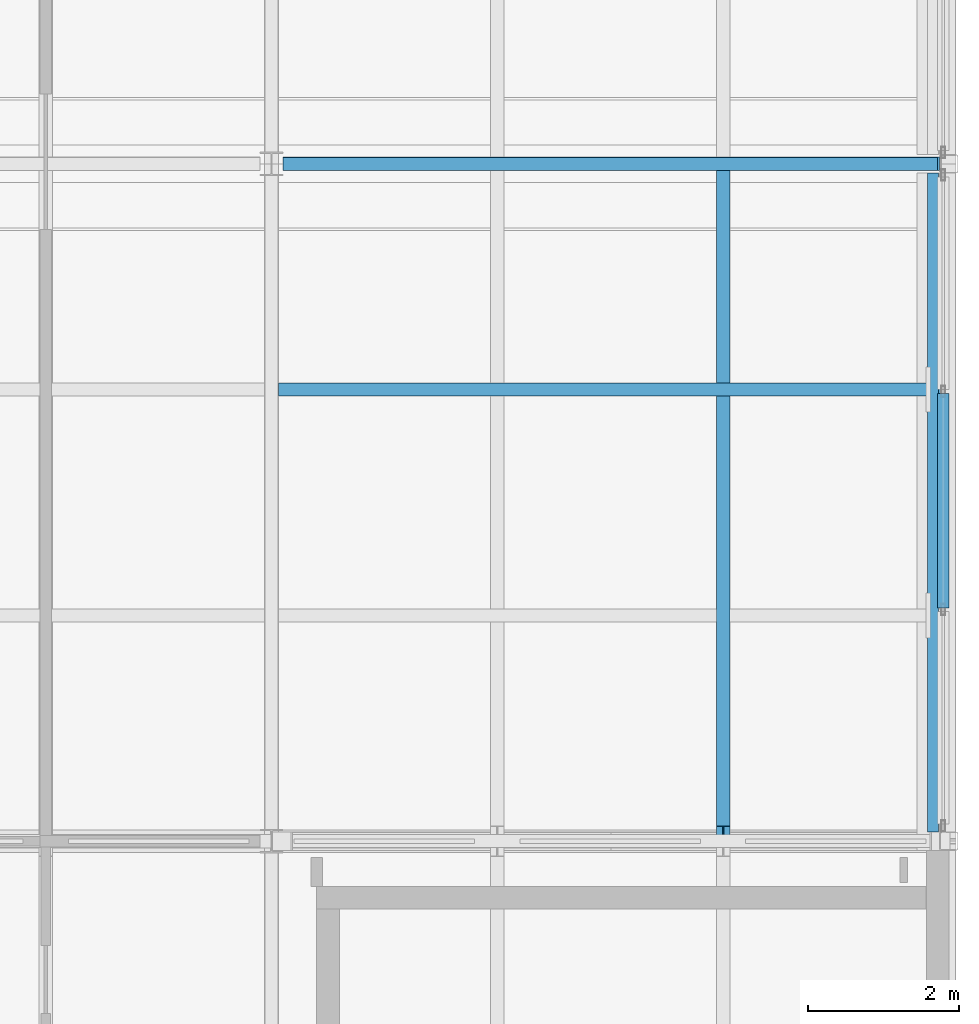
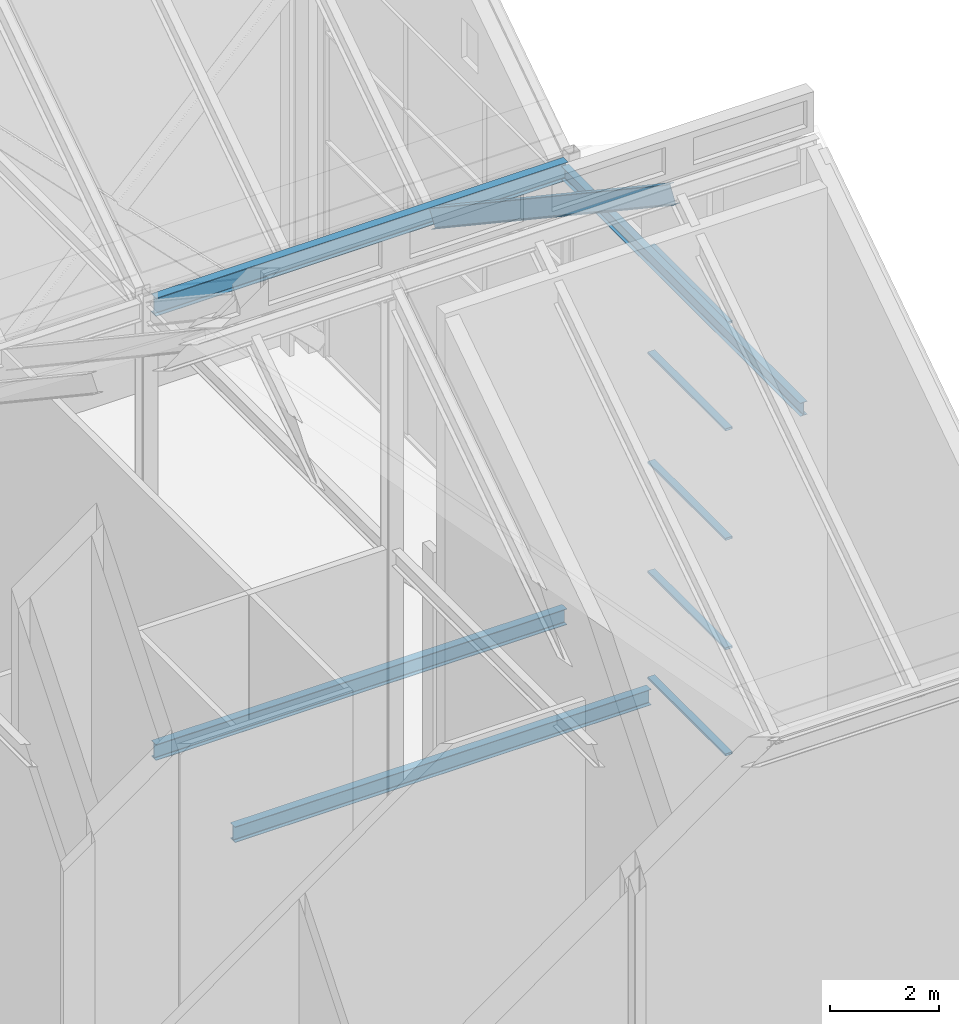
# One storey, part 72 of 111: 6 members, 4 beams, 1 element without a shape of its own.
"""IFC4 building model written with IfcOpenShell, lengths in metres."""

from ifc_helpers import new_model, si_unit, direction, frame, origin, origin_2d, place, context, subcontext, project, spatial, hollow_rectangle, i_section, extrude, material, layer, layer_set, material_profile, profile_set, type_object, element, aggregate, save


model = new_model("IFC4")

# Units and contexts
model_context = context("Model", 3, precision=1e-05, world=origin(), true_north=direction((0.0, 1.0)))
body_context = subcontext(model_context, "Body", "Model", "MODEL_VIEW")
ifc_project = project(units=[si_unit("LENGTHUNIT", "METRE"), si_unit("AREAUNIT", "SQUARE_METRE"), si_unit("VOLUMEUNIT", "CUBIC_METRE"), si_unit("PLANEANGLEUNIT", "RADIAN"), si_unit("MASSUNIT", "GRAM", prefix="KILO")], contexts=[model_context])

# Site, building, storey
site_placement = place(None, origin())
site = spatial("IfcSite", under=ifc_project, at=site_placement, CompositionType="ELEMENT")
building_placement = place(site_placement, origin())
building = spatial("IfcBuilding", under=site, at=building_placement, Name="Shorebreak Coast Museum", CompositionType="ELEMENT")
storey_placement = place(building_placement, frame((0.0, 0.0, 16.0)))
storey = spatial("IfcBuildingStorey", under=building, at=storey_placement, Name="L03", CompositionType="ELEMENT", Elevation=16.0)

# Beams
ifc_material_1 = material(Name="Steel Grade 300", Category="steel")
ifc_material_profile_1 = material_profile(ifc_material_1, i_section(OverallWidth=0.1708984375, OverallDepth=0.355712890625, WebThickness=0.00732421875, FlangeThickness=0.011474609375, FilletRadius=0.011474609375, at=origin_2d()), Name="360UB50.7")
ifc_profile_set_1 = profile_set([ifc_material_profile_1], Name="Steel Grade 300")
beam_type_1 = type_object("IfcBeamType", Name="Floor girder east-west 360UB50.7", PredefinedType="BEAM", material=ifc_profile_set_1)
beam_1_placement = place(storey_placement, frame((162.153564453125, 72.0, -0.352783203125), z_axis=(1.0, 0.0, 0.0), x_axis=(0.0, 1.0, 0.0)))
element("IfcBeam", 1, at=beam_1_placement, inside=storey, type_object=beam_type_1, Name="Floor girder east-west L03 19J", PredefinedType="BEAM", context=body_context, shape_type="SweptSolid", body=[
    extrude(i_section(OverallWidth=0.1708984375, OverallDepth=0.355712890625, WebThickness=0.00732421875, FlangeThickness=0.011474609375, FilletRadius=0.011474609375, at=origin_2d()), origin(), (0.0, 0.0, 1.0), 8.696533203125),
])
ifc_material_2 = material(Name="Steel Grade 300", Category="steel")
ifc_material_profile_2 = material_profile(ifc_material_2, i_section(OverallWidth=0.1708984375, OverallDepth=0.35205078125, WebThickness=0.0068359375, FlangeThickness=0.009765625, FilletRadius=0.011474609375, at=origin_2d()), Name="360UB44.7")
ifc_profile_set_2 = profile_set([ifc_material_profile_2], Name="Steel Grade 300")
beam_type_2 = type_object("IfcBeamType", Name="Floor joist 360UB44.7", PredefinedType="JOIST", material=ifc_profile_set_2)
beam_2_placement = place(storey_placement, frame((162.094970703125, 69.0, -0.35107421875), z_axis=(1.0, 0.0, 0.0), x_axis=(0.0, 1.0, 0.0)))
element("IfcBeam", 2, at=beam_2_placement, inside=storey, type_object=beam_type_2, Name="Floor joist L03 bay 19H at 6000 mm", PredefinedType="JOIST", context=body_context, shape_type="SweptSolid", body=[
    extrude(i_section(OverallWidth=0.1708984375, OverallDepth=0.35205078125, WebThickness=0.0068359375, FlangeThickness=0.009765625, FilletRadius=0.011474609375, at=origin_2d()), origin(), (0.0, 0.0, 1.0), 8.81005859375),
])

# Member
ifc_material_3 = material(Name="Steel Grade 300", Category="steel")
ifc_material_profile_3 = material_profile(ifc_material_3, i_section(OverallWidth=0.177978515625, OverallDepth=0.402587890625, WebThickness=0.007568359375, FlangeThickness=0.010986328125, FilletRadius=0.011474609375, at=origin_2d()), Name="410UB53.7")
ifc_profile_set_3 = profile_set([ifc_material_profile_3], Name="Steel Grade 300")
member_type_1 = type_object("IfcMemberType", Name="Fold rafter 410UB53.7", PredefinedType="RAFTER", material=ifc_profile_set_3)
member_1_placement = place(storey_placement, frame((168.0, 63.089111328125, 15.458251953125), z_axis=(0.0, 0.832043209162, -0.554710823842), x_axis=(-1.0, 0.0, 0.0)))
element("IfcMember", 3, at=member_1_placement, inside=storey, type_object=member_type_1, Name="Fold rafter FOLD-E line 2 18", PredefinedType="RAFTER", context=body_context, shape_type="SweptSolid", body=[
    extrude(i_section(OverallWidth=0.177978515625, OverallDepth=0.402587890625, WebThickness=0.007568359375, FlangeThickness=0.010986328125, FilletRadius=0.011474609375, at=origin_2d()), origin(), (0.0, 0.0, 1.0), 10.6025390625),
])

# Beams
ifc_material_4 = material(Name="Steel Grade 300", Category="steel")
ifc_material_profile_4 = material_profile(ifc_material_4, i_section(OverallWidth=0.177978515625, OverallDepth=0.406494140625, WebThickness=0.0078125, FlangeThickness=0.0126953125, FilletRadius=0.011474609375, at=origin_2d()), Name="410UB59.7")
ifc_profile_set_4 = profile_set([ifc_material_profile_4], Name="Steel Grade 300")
beam_type_3 = type_object("IfcBeamType", Name="Fold valley girder 410UB59.7", PredefinedType="BEAM", material=ifc_profile_set_4)
beam_3_placement = place(storey_placement, frame((162.152587890625, 72.0, 9.61572265625), z_axis=(1.0, 0.0, 0.0), x_axis=(0.0, 1.0, 0.0)))
element("IfcBeam", 4, at=beam_3_placement, inside=storey, type_object=beam_type_3, Name="Fold valley girder FOLD-E line J bay 19J", PredefinedType="BEAM", context=body_context, shape_type="SweptSolid", body=[
    extrude(i_section(OverallWidth=0.177978515625, OverallDepth=0.406494140625, WebThickness=0.0078125, FlangeThickness=0.0126953125, FilletRadius=0.011474609375, at=origin_2d()), origin(), (0.0, 0.0, 1.0), 8.722412109375),
])
ifc_material_5 = material(Name="Steel Grade 300", Category="steel")
ifc_material_profile_5 = material_profile(ifc_material_5, i_section(OverallWidth=0.14892578125, OverallDepth=0.298095703125, WebThickness=0.005615234375, FlangeThickness=0.008056640625, FilletRadius=0.012939453125, at=origin_2d()), Name="310UB32.0")
ifc_profile_set_5 = profile_set([ifc_material_profile_5], Name="Steel Grade 300")
beam_type_4 = type_object("IfcBeamType", Name="Gable base beam 310UB32.0", PredefinedType="BEAM", material=ifc_profile_set_5)
beam_4_placement = place(storey_placement, frame((170.7900390625, 63.125, 9.65087890625), z_axis=(0.0, 1.0, 0.0), x_axis=(-1.0, 0.0, 0.0)))
element("IfcBeam", 5, at=beam_4_placement, inside=storey, type_object=beam_type_4, Name="Gable base beam FOLD-E x 171 part 1", PredefinedType="BEAM", context=body_context, shape_type="SweptSolid", body=[
    extrude(i_section(OverallWidth=0.14892578125, OverallDepth=0.298095703125, WebThickness=0.005615234375, FlangeThickness=0.008056640625, FilletRadius=0.012939453125, at=origin_2d()), origin(), (0.0, 0.0, 1.0), 8.75),
])

# Curtain wall, members
ifc_material_6 = material(Name="Aluminium", Category="aluminium")
ifc_layer = layer(ifc_material_6, 0.14990234375)
ifc_layer_set = layer_set([ifc_layer], Name="Aluminium")
curtain_wall_type = type_object("IfcCurtainWallType", Name="Storefront curtain wall", PredefinedType="NOTDEFINED", material=ifc_layer_set)
curtain_wall_placement = place(storey_placement, origin())
curtain_wall = element("IfcCurtainWall", 6, at=curtain_wall_placement, inside=storey, type_object=curtain_wall_type, Name="Gallery end glazing L03 E 1", PredefinedType="NOTDEFINED")
ifc_material_7 = material(Name="Aluminium", Category="aluminium")
ifc_material_profile_6 = material_profile(ifc_material_7, hollow_rectangle(XDim=0.14990234375, YDim=0.050048828125, WallThickness=0.00390625, at=origin_2d()), Name="AL 50x150 RHS")
ifc_profile_set_6 = profile_set([ifc_material_profile_6], Name="Aluminium")
member_type_2 = type_object("IfcMemberType", Name="Storefront transom 150 x 50", PredefinedType="USERDEFINED", material=ifc_profile_set_6)
member_2_placement = place(storey_placement, frame((170.925048828125, 66.101318359375, 0.074951171875), z_axis=(0.0, 1.0, 0.0), x_axis=(-1.0, 0.0, 0.0)))
member_2 = element("IfcMember", 7, at=member_2_placement, type_object=member_type_2, Name="CW9 transom 2.1", ObjectType="TRANSOM", PredefinedType="USERDEFINED", context=body_context, shape_type="SweptSolid", body=[
    extrude(hollow_rectangle(XDim=0.14990234375, YDim=0.050048828125, WallThickness=0.00390625, at=origin_2d()), origin(), (0.0, 0.0, 1.0), 2.849365234375),
])
member_3_placement = place(storey_placement, frame((170.925048828125, 66.101318359375, 2.449951171875), z_axis=(0.0, 1.0, 0.0), x_axis=(-1.0, 0.0, 0.0)))
member_3 = element("IfcMember", 8, at=member_3_placement, type_object=member_type_2, Name="CW9 transom 2.2", ObjectType="TRANSOM", PredefinedType="USERDEFINED", context=body_context, shape_type="SweptSolid", body=[
    extrude(hollow_rectangle(XDim=0.14990234375, YDim=0.050048828125, WallThickness=0.00390625, at=origin_2d()), origin(), (0.0, 0.0, 1.0), 2.849365234375),
])
member_4_placement = place(storey_placement, frame((170.925048828125, 66.101318359375, 4.89990234375), z_axis=(0.0, 1.0, 0.0), x_axis=(-1.0, 0.0, 0.0)))
member_4 = element("IfcMember", 9, at=member_4_placement, type_object=member_type_2, Name="CW9 transom 2.3", ObjectType="TRANSOM", PredefinedType="USERDEFINED", context=body_context, shape_type="SweptSolid", body=[
    extrude(hollow_rectangle(XDim=0.14990234375, YDim=0.050048828125, WallThickness=0.00390625, at=origin_2d()), origin(), (0.0, 0.0, 1.0), 2.849365234375),
])
member_5_placement = place(storey_placement, frame((170.925048828125, 66.101318359375, 7.35009765625), z_axis=(0.0, 1.0, 0.0), x_axis=(-1.0, 0.0, 0.0)))
member_5 = element("IfcMember", 10, at=member_5_placement, type_object=member_type_2, Name="CW9 transom 2.4", ObjectType="TRANSOM", PredefinedType="USERDEFINED", context=body_context, shape_type="SweptSolid", body=[
    extrude(hollow_rectangle(XDim=0.14990234375, YDim=0.050048828125, WallThickness=0.00390625, at=origin_2d()), origin(), (0.0, 0.0, 1.0), 2.849365234375),
])
member_6_placement = place(storey_placement, frame((170.925048828125, 66.101318359375, 9.72509765625), z_axis=(0.0, 1.0, 0.0), x_axis=(-1.0, 0.0, 0.0)))
member_6 = element("IfcMember", 11, at=member_6_placement, type_object=member_type_2, Name="CW9 transom 2.5", ObjectType="TRANSOM", PredefinedType="USERDEFINED", context=body_context, shape_type="SweptSolid", body=[
    extrude(hollow_rectangle(XDim=0.14990234375, YDim=0.050048828125, WallThickness=0.00390625, at=origin_2d()), origin(), (0.0, 0.0, 1.0), 2.849365234375),
])
aggregate(curtain_wall, [member_2, member_3, member_4, member_5, member_6])

save(model, "model.ifc")
